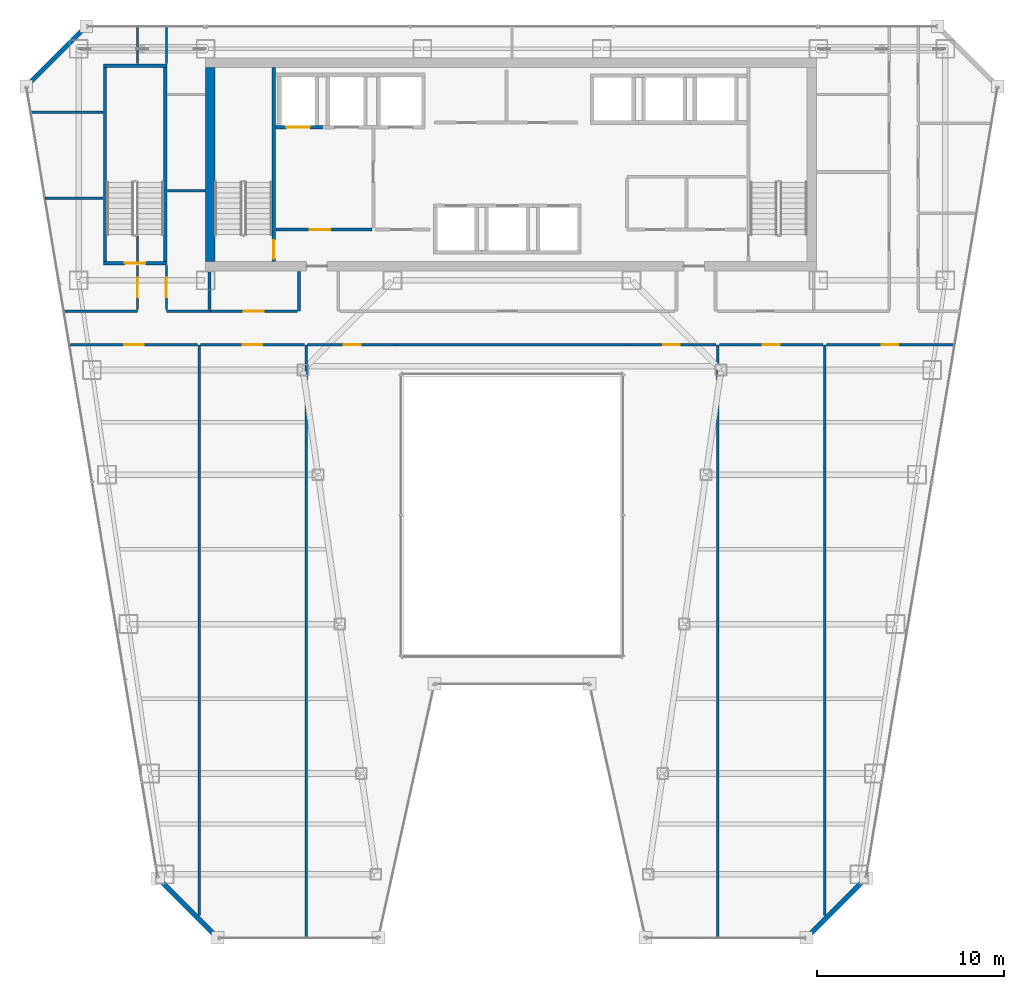
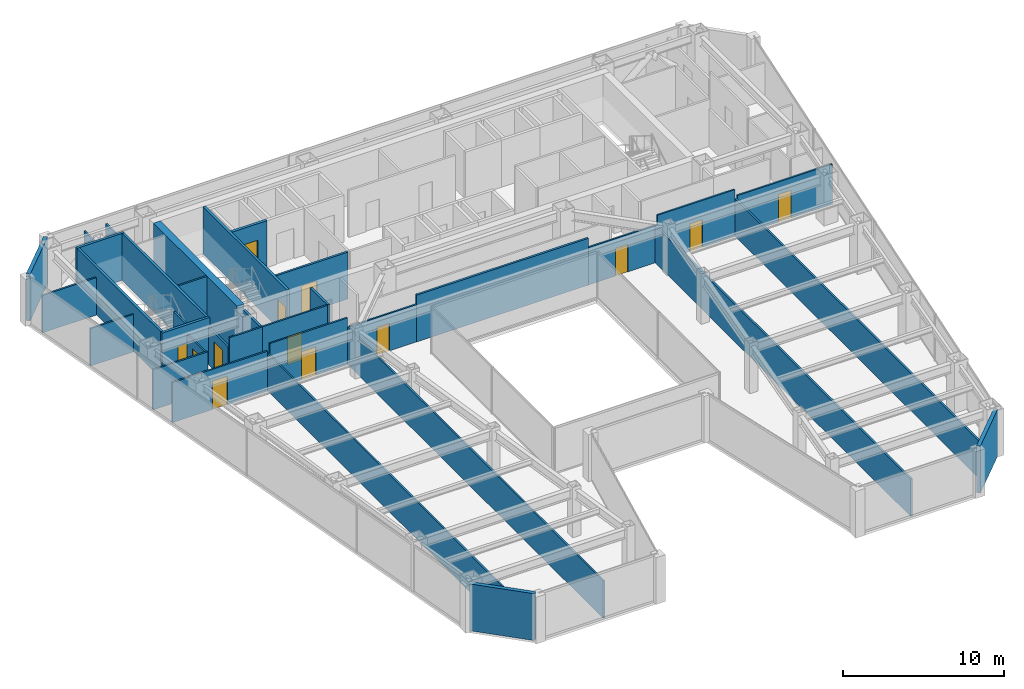
# One storey, part 32 of 38: 35 walls, 13 doors, 13 openings.
"""IFC4 building model written with IfcOpenShell, lengths in metres."""

from ifc_helpers import new_model, si_unit, direction, frame, frame_2d, origin, place, context, subcontext, project, spatial, rectangle, extrude, material, layer, layer_set, type_object, element, fill, save


model = new_model("IFC4")

# Units and contexts
model_context = context("Model", 3, precision=1e-05, world=origin(), true_north=direction((0.0, 1.0)))
body_context = subcontext(model_context, "Body", "Model", "MODEL_VIEW")
ifc_project = project(units=[si_unit("LENGTHUNIT", "METRE"), si_unit("AREAUNIT", "SQUARE_METRE"), si_unit("VOLUMEUNIT", "CUBIC_METRE"), si_unit("PLANEANGLEUNIT", "RADIAN"), si_unit("MASSUNIT", "GRAM", prefix="KILO")], contexts=[model_context])

# Site, building, storey
site_placement = place(None, origin())
site = spatial("IfcSite", under=ifc_project, at=site_placement, CompositionType="ELEMENT")
building_placement = place(site_placement, origin())
building = spatial("IfcBuilding", under=site, at=building_placement, Name="Saevonmaru Cultural Tower", CompositionType="ELEMENT")
storey_placement = place(building_placement, frame((0.0, 0.0, 137.199951171875)))
storey = spatial("IfcBuildingStorey", under=building, at=storey_placement, Name="L29", CompositionType="ELEMENT", Elevation=137.199951171875)

# Wall
ifc_material_1 = material(Name="Concrete C60/75", Category="concrete")
ifc_layer_1 = layer(ifc_material_1, 0.5, Name="Concrete C60/75")
ifc_layer_set_1 = layer_set([ifc_layer_1], Name="Concrete C60/75")
wall_type_1 = type_object("IfcWallType", Name="WL-CORE-500", PredefinedType="SHEAR", material=ifc_layer_set_1)
wall_1_placement = place(storey_placement, frame((13.85009765625, 43.39990234375, 0.0), z_axis=(0.0, 0.0, 1.0), x_axis=(0.0, 1.0, 0.0)))
element("IfcWall", 1, at=wall_1_placement, inside=storey, type_object=wall_type_1, Name="L29 Tower RC core shear wall W", PredefinedType="SHEAR", context=body_context, shape_type="SweptSolid", body=[
    extrude(rectangle(XDim=10.400146484375, YDim=0.5, at=frame_2d((5.2001953125, 0.0))), origin(), (0.0, 0.0, 1.0), 3.550048828125),
])

# Wall, opening, door
ifc_material_2 = material(Name="Gypsum Fireboard Partition", Category="gypsum")
ifc_layer_2 = layer(ifc_material_2, 0.14990234375, Name="Gypsum Fireboard Partition")
ifc_layer_set_2 = layer_set([ifc_layer_2], Name="Gypsum Fireboard Partition")
wall_type_2 = type_object("IfcWallType", Name="WL-CORE-PART-150", PredefinedType="PARTITIONING", material=ifc_layer_set_2)
wall_2_placement = place(storey_placement, frame((17.360107421875, 45.1201171875, 0.0), z_axis=(0.0, 0.0, 1.0), x_axis=(1.0, 0.0, 0.0)))
wall_2 = element("IfcWall", 2, at=wall_2_placement, inside=storey, type_object=wall_type_2, Name="L29 Firefighting Lift Lobby South Wall", PredefinedType="PARTITIONING", context=body_context, shape_type="SweptSolid", body=[
    extrude(rectangle(XDim=5.139892578125, YDim=0.14990234375, at=frame_2d((2.56982421875, 0.0))), origin(), (0.0, 0.0, 1.0), 3.550048828125),
])
opening_1_placement = place(wall_2_placement, frame((1.800048828125, 0.0, 0.0)))
opening_1 = element("IfcOpeningElement", 3, at=opening_1_placement, cuts=wall_2, Name="Opening FD-2", PredefinedType="OPENING", context=body_context, shape_type="SweptSolid", body=[
    extrude(rectangle(XDim=1.10009765625, YDim=2.14990234375, at=frame_2d((0.550048828125, 1.074951171875))), frame((0.0, 0.0849609375, 0.0), z_axis=(0.0, -1.0, 0.0), x_axis=(1.0, 0.0, 0.0)), (0.0, 0.0, 1.0), 0.169921875),
])
ifc_material_3 = material(Name="Satin Bronze Anodised Aluminium", Category="aluminium")
door_type_1 = type_object("IfcDoorType", Name="DR-FD60-1100", OperationType="SINGLE_SWING_LEFT", PredefinedType="DOOR", material=ifc_material_3)
door_1_placement = place(opening_1_placement, origin())
door_1 = element("IfcDoor", 4, at=door_1_placement, inside=storey, type_object=door_type_1, Name="L29 Firefighting Lift Lobby South Door", OperationType="SINGLE_SWING_LEFT", OverallHeight=2.14990234375, OverallWidth=1.10009765625, PredefinedType="DOOR", context=body_context, shape_type="SweptSolid", body=[
    extrude(rectangle(XDim=1.10009765625, YDim=2.14990234375, at=frame_2d((0.550048828125, 1.074951171875))), frame((0.0, 0.02490234375, 0.0), z_axis=(0.0, -1.0, 0.0), x_axis=(1.0, 0.0, 0.0)), (0.0, 0.0, 1.0), 0.050048828125),
])
fill(opening_1, door_1)

# Walls
ifc_material_4 = material(Name="Granite-Clad Precast Concrete C40/50", Category="masonry")
ifc_layer_3 = layer(ifc_material_4, 0.260009765625, Name="Granite-Clad Precast Concrete C40/50")
ifc_layer_set_3 = layer_set([ifc_layer_3], Name="Granite-Clad Precast Concrete C40/50")
wall_type_3 = type_object("IfcWallType", Name="WL-EXT-SPANDREL-260", PredefinedType="STANDARD", material=ifc_layer_set_3)
for number, where, z_axis, x_axis, name in (
    (5, (11.162109375, 10.286865234375, 0.0), (0.0, 0.0, 1.0), (0.70707775441, -0.707135806771, 0.0), "L29 Chamfer Corner Spandrel Wall E1"),
    (6, (45.8642578125, 7.31298828125, 0.0), (0.0, 0.0, 1.0), (0.70707775441, 0.707135806771, 0.0), "L29 Chamfer Corner Spandrel Wall E7"),
):
    element("IfcWall", number, at=place(storey_placement, frame(where, z_axis=z_axis, x_axis=x_axis)), inside=storey, type_object=wall_type_3, Name=name, PredefinedType="STANDARD", context=body_context, shape_type="SweptSolid", body=[
        extrude(rectangle(XDim=4.20556640625, YDim=0.260009765625, at=frame_2d((2.102783203125, 0.0))), origin(), (0.0, 0.0, 1.0), 3.550048828125),
    ])
wall_3_placement = place(storey_placement, frame((7.0869140625, 55.886962890625, 0.0), z_axis=(0.0, 0.0, 1.0), x_axis=(-0.707106781187, -0.707106781187, 0.0)))
element("IfcWall", 7, at=wall_3_placement, inside=storey, type_object=wall_type_3, Name="L29 Chamfer Corner Spandrel Wall E11", PredefinedType="STANDARD", context=body_context, shape_type="SweptSolid", body=[
    extrude(rectangle(XDim=4.205810546875, YDim=0.260009765625, at=frame_2d((2.10302734375, 0.0))), origin(), (0.0, 0.0, 1.0), 3.550048828125),
])
ifc_layer_4 = layer(ifc_material_2, 0.14990234375, Name="Gypsum Fireboard Partition")
ifc_layer_set_4 = layer_set([ifc_layer_4], Name="Gypsum Fireboard Partition")
wall_type_4 = type_object("IfcWallType", Name="WL-PART-FIRE-150", PredefinedType="PARTITIONING", material=ifc_layer_set_4)
wall_4_placement = place(storey_placement, frame((13.800048828125, 40.830078125, 0.0), z_axis=(0.0, 0.0, 1.0), x_axis=(0.0, 1.0, 0.0)))
element("IfcWall", 8, at=wall_4_placement, inside=storey, type_object=wall_type_4, Name="L29 Core Portal Side Wall W0", PredefinedType="PARTITIONING", context=body_context, shape_type="SweptSolid", body=[
    extrude(rectangle(XDim=2.0498046875, YDim=0.14990234375, at=frame_2d((1.02490234375, 0.0))), origin(), (0.0, 0.0, 1.0), 3.550048828125),
])
wall_5_placement = place(storey_placement, frame((18.60009765625, 40.75, 0.0), z_axis=(0.0, 0.0, 1.0), x_axis=(0.0, 1.0, 0.0)))
element("IfcWall", 9, at=wall_5_placement, inside=storey, type_object=wall_type_4, Name="L29 Core Portal Side Wall W1", PredefinedType="PARTITIONING", context=body_context, shape_type="SweptSolid", body=[
    extrude(rectangle(XDim=2.1298828125, YDim=0.14990234375, at=frame_2d((1.06494140625, 0.0))), origin(), (0.0, 0.0, 1.0), 3.550048828125),
])
wall_6_placement = place(storey_placement, frame((23.85009765625, 38.949951171875, 0.0), z_axis=(0.0, 0.0, 1.0), x_axis=(1.0, 0.0, 0.0)))
element("IfcWall", 10, at=wall_6_placement, inside=storey, type_object=wall_type_4, Name="L29 North Atrium Corridor Wall", PredefinedType="PARTITIONING", context=body_context, shape_type="SweptSolid", body=[
    extrude(rectangle(XDim=12.2998046875, YDim=0.14990234375, at=frame_2d((6.14990234375, 0.0))), origin(), (0.0, 0.0, 1.0), 3.550048828125),
])
ifc_layer_5 = layer(ifc_material_2, 0.1201171875, Name="Gypsum Fireboard Partition")
ifc_layer_set_5 = layer_set([ifc_layer_5], Name="Gypsum Fireboard Partition")
wall_type_5 = type_object("IfcWallType", Name="WL-PART-GYP-120", PredefinedType="PARTITIONING", material=ifc_layer_set_5)
wall_7_placement = place(storey_placement, frame((6.00830078125, 40.75, 0.0), z_axis=(0.0, 0.0, 1.0), x_axis=(1.0, 0.0, 0.0)))
element("IfcWall", 11, at=wall_7_placement, inside=storey, type_object=wall_type_5, Name="L29 NW Wing South Wall", PredefinedType="PARTITIONING", context=body_context, shape_type="SweptSolid", body=[
    extrude(rectangle(XDim=3.941650390625, YDim=0.1201171875, at=frame_2d((1.970703125, 0.0))), origin(), (0.0, 0.0, 1.0), 3.03515625),
])
wall_8_placement = place(storey_placement, frame((11.5, 40.75, 0.0), z_axis=(0.0, 0.0, 1.0), x_axis=(1.0, 0.0, 0.0)))
element("IfcWall", 12, at=wall_8_placement, inside=storey, type_object=wall_type_5, Name="L29 NW Inner South Wall", PredefinedType="PARTITIONING", context=body_context, shape_type="SweptSolid", body=[
    extrude(rectangle(XDim=2.35009765625, YDim=0.1201171875, at=frame_2d((1.175048828125, 0.0))), origin(), (0.0, 0.0, 1.0), 3.550048828125),
])
wall_9_placement = place(storey_placement, frame((11.5, 54.0, 0.0), z_axis=(0.0, 0.0, 1.0), x_axis=(0.0, 1.0, 0.0)))
element("IfcWall", 13, at=wall_9_placement, inside=storey, type_object=wall_type_5, Name="L29 Typography Design Classroom Corridor Wall", PredefinedType="PARTITIONING", context=body_context, shape_type="SweptSolid", body=[
    extrude(rectangle(XDim=1.9951171875, YDim=0.1201171875, at=frame_2d((0.99755859375, 0.0))), origin(), (0.0, 0.0, 1.0), 2.93505859375),
])
wall_10_placement = place(storey_placement, frame((5.002685546875, 46.800048828125, 0.0), z_axis=(0.0, 0.0, 1.0), x_axis=(1.0, 0.0, 0.0)))
element("IfcWall", 14, at=wall_10_placement, inside=storey, type_object=wall_type_5, Name="L29 NW Studio Divider 1", PredefinedType="PARTITIONING", context=body_context, shape_type="SweptSolid", body=[
    extrude(rectangle(XDim=3.097412109375, YDim=0.1201171875, at=frame_2d((1.548828125, 0.0))), origin(), (0.0, 0.0, 1.0), 2.8349609375),
])
wall_11_placement = place(storey_placement, frame((4.23779296875, 51.39990234375, 0.0), z_axis=(0.0, 0.0, 1.0), x_axis=(1.0, 0.0, 0.0)))
element("IfcWall", 15, at=wall_11_placement, inside=storey, type_object=wall_type_5, Name="L29 NW Studio Divider 2", PredefinedType="PARTITIONING", context=body_context, shape_type="SweptSolid", body=[
    extrude(rectangle(XDim=3.8623046875, YDim=0.1201171875, at=frame_2d((1.93115234375, 0.0))), origin(), (0.0, 0.0, 1.0), 2.8349609375),
])

# Wall, opening, door
wall_12_placement = place(storey_placement, frame((9.949951171875, 40.830078125, 0.0), z_axis=(0.0, 0.0, 1.0), x_axis=(0.0, 1.0, 0.0)))
wall_12 = element("IfcWall", 16, at=wall_12_placement, inside=storey, type_object=wall_type_5, Name="L29 Rare Folio Reading Room Corridor Wall", PredefinedType="PARTITIONING", context=body_context, shape_type="SweptSolid", body=[
    extrude(rectangle(XDim=2.369873046875, YDim=0.1201171875, at=frame_2d((1.18505859375, 0.0))), origin(), (0.0, 0.0, 1.0), 2.8349609375),
])
opening_2_placement = place(wall_12_placement, frame((0.659912109375, 0.0, 0.0)))
opening_2 = element("IfcOpeningElement", 17, at=opening_2_placement, cuts=wall_12, Name="Opening ID-1", PredefinedType="OPENING", context=body_context, shape_type="SweptSolid", body=[
    extrude(rectangle(XDim=1.050048828125, YDim=2.14990234375, at=frame_2d((0.52490234375, 1.074951171875))), frame((0.0, 0.070068359375, 0.0), z_axis=(0.0, -1.0, 0.0), x_axis=(1.0, 0.0, 0.0)), (0.0, 0.0, 1.0), 0.14013671875),
])
door_type_2 = type_object("IfcDoorType", Name="DR-INT-1050", OperationType="SINGLE_SWING_LEFT", PredefinedType="DOOR", material=ifc_material_3)
door_2_placement = place(opening_2_placement, origin())
door_2 = element("IfcDoor", 18, at=door_2_placement, inside=storey, type_object=door_type_2, Name="L29 Rare Folio Reading Room Door", OperationType="SINGLE_SWING_LEFT", OverallHeight=2.14990234375, OverallWidth=1.050048828125, PredefinedType="DOOR", context=body_context, shape_type="SweptSolid", body=[
    extrude(rectangle(XDim=1.050048828125, YDim=2.14990234375, at=frame_2d((0.52490234375, 1.074951171875))), frame((0.0, 0.02490234375, 0.0), z_axis=(0.0, -1.0, 0.0), x_axis=(1.0, 0.0, 0.0)), (0.0, 0.0, 1.0), 0.050048828125),
])
fill(opening_2, door_2)

# Walls
wall_13_placement = place(storey_placement, frame((9.949951171875, 43.419921875, 0.0), z_axis=(0.0, 0.0, 1.0), x_axis=(0.0, 1.0, 0.0)))
element("IfcWall", 19, at=wall_13_placement, inside=storey, type_object=wall_type_5, Name="L29 Rare Folio Reading Room Corridor Wall (2)", PredefinedType="PARTITIONING", context=body_context, shape_type="SweptSolid", body=[
    extrude(rectangle(XDim=1.4501953125, YDim=0.1201171875, at=frame_2d((0.72509765625, 0.0))), origin(), (0.0, 0.0, 1.0), 3.550048828125),
])
wall_14_placement = place(storey_placement, frame((9.949951171875, 54.0, 0.0), z_axis=(0.0, 0.0, 1.0), x_axis=(0.0, 1.0, 0.0)))
element("IfcWall", 20, at=wall_14_placement, inside=storey, type_object=wall_type_5, Name="L29 Typography Design Classroom Corridor Wall", PredefinedType="PARTITIONING", context=body_context, shape_type="SweptSolid", body=[
    extrude(rectangle(XDim=1.9951171875, YDim=0.1201171875, at=frame_2d((0.99755859375, 0.0))), origin(), (0.0, 0.0, 1.0), 2.93505859375),
])
wall_15_placement = place(storey_placement, frame((11.550048828125, 47.199951171875, 0.0), z_axis=(0.0, 0.0, 1.0), x_axis=(1.0, 0.0, 0.0)))
element("IfcWall", 21, at=wall_15_placement, inside=storey, type_object=wall_type_5, Name="L29 NW Inner Divider", PredefinedType="PARTITIONING", context=body_context, shape_type="SweptSolid", body=[
    extrude(rectangle(XDim=2.030029296875, YDim=0.1201171875, at=frame_2d((1.01513671875, 0.0))), origin(), (0.0, 0.0, 1.0), 3.550048828125),
])

# Wall, opening, door
wall_16_placement = place(storey_placement, frame((11.5, 40.830078125, 0.0), z_axis=(0.0, 0.0, 1.0), x_axis=(0.0, 1.0, 0.0)))
wall_16 = element("IfcWall", 22, at=wall_16_placement, inside=storey, type_object=wall_type_5, Name="L29 Art History Reading Room Corridor Wall", PredefinedType="PARTITIONING", context=body_context, shape_type="SweptSolid", body=[
    extrude(rectangle(XDim=2.369873046875, YDim=0.1201171875, at=frame_2d((1.18505859375, 0.0))), origin(), (0.0, 0.0, 1.0), 2.8349609375),
])
opening_3_placement = place(wall_16_placement, frame((0.659912109375, 0.0, 0.0)))
opening_3 = element("IfcOpeningElement", 23, at=opening_3_placement, cuts=wall_16, Name="Opening ID-1", PredefinedType="OPENING", context=body_context, shape_type="SweptSolid", body=[
    extrude(rectangle(XDim=1.050048828125, YDim=2.14990234375, at=frame_2d((0.52490234375, 1.074951171875))), frame((0.0, 0.070068359375, 0.0), z_axis=(0.0, -1.0, 0.0), x_axis=(1.0, 0.0, 0.0)), (0.0, 0.0, 1.0), 0.14013671875),
])
door_3_placement = place(opening_3_placement, origin())
door_3 = element("IfcDoor", 24, at=door_3_placement, inside=storey, type_object=door_type_2, Name="L29 Art History Reading Room Door", OperationType="SINGLE_SWING_RIGHT", OverallHeight=2.14990234375, OverallWidth=1.050048828125, PredefinedType="DOOR", context=body_context, shape_type="SweptSolid", body=[
    extrude(rectangle(XDim=1.050048828125, YDim=2.14990234375, at=frame_2d((0.52490234375, 1.074951171875))), frame((0.0, 0.02490234375, 0.0), z_axis=(0.0, -1.0, 0.0), x_axis=(1.0, 0.0, 0.0)), (0.0, 0.0, 1.0), 0.050048828125),
])
fill(opening_3, door_3)

wall_17_placement = place(storey_placement, frame((13.85009765625, 40.75, 0.0), z_axis=(0.0, 0.0, 1.0), x_axis=(1.0, 0.0, 0.0)))
wall_17 = element("IfcWall", 25, at=wall_17_placement, inside=storey, type_object=wall_type_5, Name="L29 Rare Folio Reading Room Corridor Wall", PredefinedType="PARTITIONING", context=body_context, shape_type="SweptSolid", body=[
    extrude(rectangle(XDim=4.65478515625, YDim=0.1201171875, at=frame_2d((2.327392578125, 0.0))), origin(), (0.0, 0.0, 1.0), 3.550048828125),
])
opening_4_placement = place(wall_17_placement, frame((1.802001953125, 0.0, 0.0)))
opening_4 = element("IfcOpeningElement", 26, at=opening_4_placement, cuts=wall_17, Name="Opening ID-1", PredefinedType="OPENING", context=body_context, shape_type="SweptSolid", body=[
    extrude(rectangle(XDim=1.050048828125, YDim=2.14990234375, at=frame_2d((0.52490234375, 1.074951171875))), frame((0.0, 0.070068359375, 0.0), z_axis=(0.0, -1.0, 0.0), x_axis=(1.0, 0.0, 0.0)), (0.0, 0.0, 1.0), 0.14013671875),
])
door_4_placement = place(opening_4_placement, origin())
door_4 = element("IfcDoor", 27, at=door_4_placement, inside=storey, type_object=door_type_2, Name="L29 Rare Folio Reading Room Door", OperationType="SINGLE_SWING_RIGHT", OverallHeight=2.14990234375, OverallWidth=1.050048828125, PredefinedType="DOOR", context=body_context, shape_type="SweptSolid", body=[
    extrude(rectangle(XDim=1.050048828125, YDim=2.14990234375, at=frame_2d((0.52490234375, 1.074951171875))), frame((0.0, 0.02490234375, 0.0), z_axis=(0.0, -1.0, 0.0), x_axis=(1.0, 0.0, 0.0)), (0.0, 0.0, 1.0), 0.050048828125),
])
fill(opening_4, door_4)

# Walls
wall_18_placement = place(storey_placement, frame((13.25, 8.410888671875, 0.0), z_axis=(0.0, 0.0, 1.0), x_axis=(0.0, 1.0, 0.0)))
element("IfcWall", 28, at=wall_18_placement, inside=storey, type_object=wall_type_5, Name="L29 West Bay Divider 1", PredefinedType="PARTITIONING", context=body_context, shape_type="SweptSolid", body=[
    extrude(rectangle(XDim=30.5390625, YDim=0.1201171875, at=frame_2d((15.26953125, 0.0))), origin(), (0.0, 0.0, 1.0), 2.8349609375),
])
wall_19_placement = place(storey_placement, frame((18.97998046875, 7.205078125, 0.0), z_axis=(0.0, 0.0, 1.0), x_axis=(0.0, 1.0, 0.0)))
element("IfcWall", 29, at=wall_19_placement, inside=storey, type_object=wall_type_5, Name="L29 West Bay Divider 2", PredefinedType="PARTITIONING", context=body_context, shape_type="SweptSolid", body=[
    extrude(rectangle(XDim=31.744873046875, YDim=0.1201171875, at=frame_2d((15.87255859375, 0.0))), origin(), (0.0, 0.0, 1.0), 2.8349609375),
])

# Wall, opening, door
wall_20_placement = place(storey_placement, frame((6.36279296875, 38.949951171875, 0.0), z_axis=(0.0, 0.0, 1.0), x_axis=(1.0, 0.0, 0.0)))
wall_20 = element("IfcWall", 30, at=wall_20_placement, inside=storey, type_object=wall_type_5, Name="L29 Rare Folio Reading Room Corridor Wall", PredefinedType="PARTITIONING", context=body_context, shape_type="SweptSolid", body=[
    extrude(rectangle(XDim=6.80712890625, YDim=0.1201171875, at=frame_2d((3.403564453125, 0.0))), origin(), (0.0, 0.0, 1.0), 3.03515625),
])
opening_5_placement = place(wall_20_placement, frame((2.87890625, 0.0, 0.0)))
opening_5 = element("IfcOpeningElement", 31, at=opening_5_placement, cuts=wall_20, Name="Opening ID-1", PredefinedType="OPENING", context=body_context, shape_type="SweptSolid", body=[
    extrude(rectangle(XDim=1.050048828125, YDim=2.14990234375, at=frame_2d((0.52490234375, 1.074951171875))), frame((0.0, 0.070068359375, 0.0), z_axis=(0.0, -1.0, 0.0), x_axis=(1.0, 0.0, 0.0)), (0.0, 0.0, 1.0), 0.14013671875),
])
door_5_placement = place(opening_5_placement, origin())
door_5 = element("IfcDoor", 32, at=door_5_placement, inside=storey, type_object=door_type_2, Name="L29 Rare Folio Reading Room Door", OperationType="SINGLE_SWING_LEFT", OverallHeight=2.14990234375, OverallWidth=1.050048828125, PredefinedType="DOOR", context=body_context, shape_type="SweptSolid", body=[
    extrude(rectangle(XDim=1.050048828125, YDim=2.14990234375, at=frame_2d((0.52490234375, 1.074951171875))), frame((0.0, 0.02490234375, 0.0), z_axis=(0.0, -1.0, 0.0), x_axis=(1.0, 0.0, 0.0)), (0.0, 0.0, 1.0), 0.050048828125),
])
fill(opening_5, door_5)

wall_21_placement = place(storey_placement, frame((13.330078125, 38.949951171875, 0.0), z_axis=(0.0, 0.0, 1.0), x_axis=(1.0, 0.0, 0.0)))
wall_21 = element("IfcWall", 33, at=wall_21_placement, inside=storey, type_object=wall_type_5, Name="L29 Art History Reading Room Corridor Wall", PredefinedType="PARTITIONING", context=body_context, shape_type="SweptSolid", body=[
    extrude(rectangle(XDim=5.56982421875, YDim=0.1201171875, at=frame_2d((2.784912109375, 0.0))), origin(), (0.0, 0.0, 1.0), 3.550048828125),
])
opening_6_placement = place(wall_21_placement, frame((2.260009765625, 0.0, 0.0)))
opening_6 = element("IfcOpeningElement", 34, at=opening_6_placement, cuts=wall_21, Name="Opening ID-1", PredefinedType="OPENING", context=body_context, shape_type="SweptSolid", body=[
    extrude(rectangle(XDim=1.050048828125, YDim=2.14990234375, at=frame_2d((0.52490234375, 1.074951171875))), frame((0.0, 0.070068359375, 0.0), z_axis=(0.0, -1.0, 0.0), x_axis=(1.0, 0.0, 0.0)), (0.0, 0.0, 1.0), 0.14013671875),
])
door_6_placement = place(opening_6_placement, origin())
door_6 = element("IfcDoor", 35, at=door_6_placement, inside=storey, type_object=door_type_2, Name="L29 Art History Reading Room Door", OperationType="SINGLE_SWING_RIGHT", OverallHeight=2.14990234375, OverallWidth=1.050048828125, PredefinedType="DOOR", context=body_context, shape_type="SweptSolid", body=[
    extrude(rectangle(XDim=1.050048828125, YDim=2.14990234375, at=frame_2d((0.52490234375, 1.074951171875))), frame((0.0, 0.02490234375, 0.0), z_axis=(0.0, -1.0, 0.0), x_axis=(1.0, 0.0, 0.0)), (0.0, 0.0, 1.0), 0.050048828125),
])
fill(opening_6, door_6)

wall_22_placement = place(storey_placement, frame((19.06005859375, 38.949951171875, 0.0), z_axis=(0.0, 0.0, 1.0), x_axis=(1.0, 0.0, 0.0)))
wall_22 = element("IfcWall", 36, at=wall_22_placement, inside=storey, type_object=wall_type_5, Name="L29 Typography Design Classroom Corridor Wall", PredefinedType="PARTITIONING", context=body_context, shape_type="SweptSolid", body=[
    extrude(rectangle(XDim=4.7900390625, YDim=0.1201171875, at=frame_2d((2.39501953125, 0.0))), origin(), (0.0, 0.0, 1.0), 2.8349609375),
])
opening_7_placement = place(wall_22_placement, frame((1.945068359375, 0.0, 0.0)))
opening_7 = element("IfcOpeningElement", 37, at=opening_7_placement, cuts=wall_22, Name="Opening ID-2", PredefinedType="OPENING", context=body_context, shape_type="SweptSolid", body=[
    extrude(rectangle(XDim=0.89990234375, YDim=2.10009765625, at=frame_2d((0.449951171875, 1.050048828125))), frame((0.0, 0.070068359375, 0.0), z_axis=(0.0, -1.0, 0.0), x_axis=(1.0, 0.0, 0.0)), (0.0, 0.0, 1.0), 0.14013671875),
])
ifc_material_5 = material(Name="Acoustic Stained Oak Timber", Category="wood")
door_type_3 = type_object("IfcDoorType", Name="DR-INT-900", OperationType="SINGLE_SWING_RIGHT", PredefinedType="DOOR", material=ifc_material_5)
door_7_placement = place(opening_7_placement, origin())
door_7 = element("IfcDoor", 38, at=door_7_placement, inside=storey, type_object=door_type_3, Name="L29 Typography Design Classroom Door", OperationType="SINGLE_SWING_LEFT", OverallHeight=2.10009765625, OverallWidth=0.89990234375, PredefinedType="DOOR", context=body_context, shape_type="SweptSolid", body=[
    extrude(rectangle(XDim=0.89990234375, YDim=2.10009765625, at=frame_2d((0.449951171875, 1.050048828125))), frame((0.0, 0.02490234375, 0.0), z_axis=(0.0, -1.0, 0.0), x_axis=(1.0, 0.0, 0.0)), (0.0, 0.0, 1.0), 0.050048828125),
])
fill(opening_7, door_7)

wall_23_placement = place(storey_placement, frame((36.14990234375, 38.949951171875, 0.0), z_axis=(0.0, 0.0, 1.0), x_axis=(1.0, 0.0, 0.0)))
wall_23 = element("IfcWall", 39, at=wall_23_placement, inside=storey, type_object=wall_type_5, Name="L29 Typography Design Classroom Corridor Wall", PredefinedType="PARTITIONING", context=body_context, shape_type="SweptSolid", body=[
    extrude(rectangle(XDim=4.78271484375, YDim=0.1201171875, at=frame_2d((2.391357421875, 0.0))), origin(), (0.0, 0.0, 1.0), 2.8349609375),
])
opening_8_placement = place(wall_23_placement, frame((1.94091796875, 0.0, 0.0)))
opening_8 = element("IfcOpeningElement", 40, at=opening_8_placement, cuts=wall_23, Name="Opening ID-2", PredefinedType="OPENING", context=body_context, shape_type="SweptSolid", body=[
    extrude(rectangle(XDim=0.89990234375, YDim=2.10009765625, at=frame_2d((0.449951171875, 1.050048828125))), frame((0.0, 0.070068359375, 0.0), z_axis=(0.0, -1.0, 0.0), x_axis=(1.0, 0.0, 0.0)), (0.0, 0.0, 1.0), 0.14013671875),
])
door_8_placement = place(opening_8_placement, origin())
door_8 = element("IfcDoor", 41, at=door_8_placement, inside=storey, type_object=door_type_3, Name="L29 Typography Design Classroom Door", OperationType="SINGLE_SWING_RIGHT", OverallHeight=2.10009765625, OverallWidth=0.89990234375, PredefinedType="DOOR", context=body_context, shape_type="SweptSolid", body=[
    extrude(rectangle(XDim=0.89990234375, YDim=2.10009765625, at=frame_2d((0.449951171875, 1.050048828125))), frame((0.0, 0.02490234375, 0.0), z_axis=(0.0, -1.0, 0.0), x_axis=(1.0, 0.0, 0.0)), (0.0, 0.0, 1.0), 0.050048828125),
])
fill(opening_8, door_8)

wall_24_placement = place(storey_placement, frame((41.107421875, 38.949951171875, 0.0), z_axis=(0.0, 0.0, 1.0), x_axis=(1.0, 0.0, 0.0)))
wall_24 = element("IfcWall", 42, at=wall_24_placement, inside=storey, type_object=wall_type_5, Name="L29 Calligraphy Teaching Studio Corridor Wall", PredefinedType="PARTITIONING", context=body_context, shape_type="SweptSolid", body=[
    extrude(rectangle(XDim=5.55517578125, YDim=0.1201171875, at=frame_2d((2.777587890625, 0.0))), origin(), (0.0, 0.0, 1.0), 3.550048828125),
])
opening_9_placement = place(wall_24_placement, frame((2.326904296875, 0.0, 0.0)))
opening_9 = element("IfcOpeningElement", 43, at=opening_9_placement, cuts=wall_24, Name="Opening ID-2", PredefinedType="OPENING", context=body_context, shape_type="SweptSolid", body=[
    extrude(rectangle(XDim=0.89990234375, YDim=2.10009765625, at=frame_2d((0.449951171875, 1.050048828125))), frame((0.0, 0.070068359375, 0.0), z_axis=(0.0, -1.0, 0.0), x_axis=(1.0, 0.0, 0.0)), (0.0, 0.0, 1.0), 0.14013671875),
])
door_9_placement = place(opening_9_placement, origin())
door_9 = element("IfcDoor", 44, at=door_9_placement, inside=storey, type_object=door_type_3, Name="L29 Calligraphy Teaching Studio Door", OperationType="SINGLE_SWING_LEFT", OverallHeight=2.10009765625, OverallWidth=0.89990234375, PredefinedType="DOOR", context=body_context, shape_type="SweptSolid", body=[
    extrude(rectangle(XDim=0.89990234375, YDim=2.10009765625, at=frame_2d((0.449951171875, 1.050048828125))), frame((0.0, 0.02490234375, 0.0), z_axis=(0.0, -1.0, 0.0), x_axis=(1.0, 0.0, 0.0)), (0.0, 0.0, 1.0), 0.050048828125),
])
fill(opening_9, door_9)

wall_25_placement = place(storey_placement, frame((46.83740234375, 38.949951171875, 0.0), z_axis=(0.0, 0.0, 1.0), x_axis=(1.0, 0.0, 0.0)))
wall_25 = element("IfcWall", 45, at=wall_25_placement, inside=storey, type_object=wall_type_5, Name="L29 Curatorial Board Meeting Room Corridor Wall", PredefinedType="PARTITIONING", context=body_context, shape_type="SweptSolid", body=[
    extrude(rectangle(XDim=6.7998046875, YDim=0.1201171875, at=frame_2d((3.39990234375, 0.0))), origin(), (0.0, 0.0, 1.0), 3.03515625),
])
opening_10_placement = place(wall_25_placement, frame((2.949951171875, 0.0, 0.0)))
opening_10 = element("IfcOpeningElement", 46, at=opening_10_placement, cuts=wall_25, Name="Opening ID-2", PredefinedType="OPENING", context=body_context, shape_type="SweptSolid", body=[
    extrude(rectangle(XDim=0.89990234375, YDim=2.10009765625, at=frame_2d((0.449951171875, 1.050048828125))), frame((0.0, 0.070068359375, 0.0), z_axis=(0.0, -1.0, 0.0), x_axis=(1.0, 0.0, 0.0)), (0.0, 0.0, 1.0), 0.14013671875),
])
door_10_placement = place(opening_10_placement, origin())
door_10 = element("IfcDoor", 47, at=door_10_placement, inside=storey, type_object=door_type_3, Name="L29 Curatorial Board Meeting Room Door", OperationType="SINGLE_SWING_RIGHT", OverallHeight=2.10009765625, OverallWidth=0.89990234375, PredefinedType="DOOR", context=body_context, shape_type="SweptSolid", body=[
    extrude(rectangle(XDim=0.89990234375, YDim=2.10009765625, at=frame_2d((0.449951171875, 1.050048828125))), frame((0.0, 0.02490234375, 0.0), z_axis=(0.0, -1.0, 0.0), x_axis=(1.0, 0.0, 0.0)), (0.0, 0.0, 1.0), 0.050048828125),
])
fill(opening_10, door_10)

# Walls
ifc_layer_6 = layer(ifc_material_2, 0.135009765625, Name="Gypsum Fireboard Partition")
ifc_layer_set_6 = layer_set([ifc_layer_6], Name="Gypsum Fireboard Partition")
wall_type_6 = type_object("IfcWallType", Name="WL-PART-GYP-135", PredefinedType="PARTITIONING", material=ifc_layer_set_6)
wall_26_placement = place(storey_placement, frame((41.02001953125, 7.205078125, 0.0), z_axis=(0.0, 0.0, 1.0), x_axis=(0.0, 1.0, 0.0)))
element("IfcWall", 48, at=wall_26_placement, inside=storey, type_object=wall_type_6, Name="L29 East Bay Divider 1", PredefinedType="PARTITIONING", context=body_context, shape_type="SweptSolid", body=[
    extrude(rectangle(XDim=31.744873046875, YDim=0.135009765625, at=frame_2d((15.87255859375, 0.0))), origin(), (0.0, 0.0, 1.0), 2.8349609375),
])
wall_27_placement = place(storey_placement, frame((46.75, 8.410888671875, 0.0), z_axis=(0.0, 0.0, 1.0), x_axis=(0.0, 1.0, 0.0)))
element("IfcWall", 49, at=wall_27_placement, inside=storey, type_object=wall_type_6, Name="L29 East Bay Divider 2", PredefinedType="PARTITIONING", context=body_context, shape_type="SweptSolid", body=[
    extrude(rectangle(XDim=30.5390625, YDim=0.135009765625, at=frame_2d((15.26953125, 0.0))), origin(), (0.0, 0.0, 1.0), 2.8349609375),
])

# Wall, opening, door
ifc_material_6 = material(Name="Concrete C40/50", Category="concrete")
ifc_layer_7 = layer(ifc_material_6, 0.199951171875, Name="Concrete C40/50")
ifc_layer_set_7 = layer_set([ifc_layer_7], Name="Concrete C40/50")
wall_type_7 = type_object("IfcWallType", Name="WL-SHAFT-200", PredefinedType="SHEAR", material=ifc_layer_set_7)
wall_28_placement = place(storey_placement, frame((17.330078125, 50.60009765625, 0.0), z_axis=(0.0, 0.0, 1.0), x_axis=(1.0, 0.0, 0.0)))
wall_28 = element("IfcWall", 50, at=wall_28_placement, inside=storey, type_object=wall_type_7, Name="L29 Lift FFL-1 Hoistway Wall S", PredefinedType="SHEAR", context=body_context, shape_type="SweptSolid", body=[
    extrude(rectangle(XDim=2.52001953125, YDim=0.199951171875, at=frame_2d((1.260009765625, 0.0))), origin(), (0.0, 0.0, 1.0), 3.550048828125),
])
opening_11_placement = place(wall_28_placement, frame((0.594970703125, 0.0, 0.0)))
opening_11 = element("IfcOpeningElement", 51, at=opening_11_placement, cuts=wall_28, Name="Opening LD-2", PredefinedType="OPENING", context=body_context, shape_type="SweptSolid", body=[
    extrude(rectangle(XDim=1.25, YDim=2.300048828125, at=frame_2d((0.625, 1.14990234375))), frame((0.0, 0.10986328125, 0.0), z_axis=(0.0, -1.0, 0.0), x_axis=(1.0, 0.0, 0.0)), (0.0, 0.0, 1.0), 0.219970703125),
])
ifc_material_7 = material(Name="Stainless Steel 316", Category="steel")
door_type_4 = type_object("IfcDoorType", Name="DR-LIFT-1250", OperationType="SLIDING_TO_LEFT", PredefinedType="DOOR", material=ifc_material_7)
door_11_placement = place(opening_11_placement, origin())
door_11 = element("IfcDoor", 52, at=door_11_placement, inside=storey, type_object=door_type_4, Name="L29 Lift FFL-1 Sliding Landing Door", OperationType="SLIDING_TO_LEFT", OverallHeight=2.300048828125, OverallWidth=1.25, PredefinedType="DOOR", context=body_context, shape_type="SweptSolid", body=[
    extrude(rectangle(XDim=1.25, YDim=2.300048828125, at=frame_2d((0.625, 1.14990234375))), frame((0.0, 0.02490234375, 0.0), z_axis=(0.0, -1.0, 0.0), x_axis=(1.0, 0.0, 0.0)), (0.0, 0.0, 1.0), 0.050048828125),
])
fill(opening_11, door_11)

ifc_layer_8 = layer(ifc_material_6, 0.179931640625, Name="Concrete C40/50")
ifc_layer_set_8 = layer_set([ifc_layer_8], Name="Concrete C40/50")
wall_type_8 = type_object("IfcWallType", Name="WL-STSHAFT-180", PredefinedType="SHEAR", material=ifc_layer_set_8)
wall_29_placement = place(storey_placement, frame((17.239990234375, 43.39990234375, 0.0), z_axis=(0.0, 0.0, 1.0), x_axis=(0.0, 1.0, 0.0)))
wall_29 = element("IfcWall", 53, at=wall_29_placement, inside=storey, type_object=wall_type_8, Name="L29 Stair ST-1 Structural Shaft Wall 1", PredefinedType="SHEAR", context=body_context, shape_type="SweptSolid", body=[
    extrude(rectangle(XDim=10.400146484375, YDim=0.179931640625, at=frame_2d((5.2001953125, 0.0))), origin(), (0.0, 0.0, 1.0), 3.550048828125),
])
opening_12_placement = place(wall_29_placement, frame((0.159912109375, 0.0, 0.0)))
opening_12 = element("IfcOpeningElement", 54, at=opening_12_placement, cuts=wall_29, Name="Opening FD-3", PredefinedType="OPENING", context=body_context, shape_type="SweptSolid", body=[
    extrude(rectangle(XDim=1.0, YDim=2.14990234375, at=frame_2d((0.5, 1.074951171875))), frame((0.0, 0.10009765625, 0.0), z_axis=(0.0, -1.0, 0.0), x_axis=(1.0, 0.0, 0.0)), (0.0, 0.0, 1.0), 0.199951171875),
])
door_type_5 = type_object("IfcDoorType", Name="DR-FD60-1000", OperationType="SINGLE_SWING_RIGHT", PredefinedType="DOOR", material=ifc_material_3)
door_12_placement = place(opening_12_placement, origin())
door_12 = element("IfcDoor", 55, at=door_12_placement, inside=storey, type_object=door_type_5, Name="L29 Protected Stair ST-1 Fire Door", OperationType="SINGLE_SWING_RIGHT", OverallHeight=2.14990234375, OverallWidth=1.0, PredefinedType="DOOR", context=body_context, shape_type="SweptSolid", body=[
    extrude(rectangle(XDim=1.0, YDim=2.14990234375, at=frame_2d((0.5, 1.074951171875))), frame((0.0, 0.02490234375, 0.0), z_axis=(0.0, -1.0, 0.0), x_axis=(1.0, 0.0, 0.0)), (0.0, 0.0, 1.0), 0.050048828125),
])
fill(opening_12, door_12)

wall_30_placement = place(storey_placement, frame((8.1201171875, 43.31005859375, 0.0), z_axis=(0.0, 0.0, 1.0), x_axis=(1.0, 0.0, 0.0)))
wall_30 = element("IfcWall", 56, at=wall_30_placement, inside=storey, type_object=wall_type_8, Name="L29 Stair ST-3 Structural Shaft Wall 1", PredefinedType="SHEAR", context=body_context, shape_type="SweptSolid", body=[
    extrude(rectangle(XDim=3.409912109375, YDim=0.179931640625, at=frame_2d((1.705078125, 0.0))), origin(), (0.0, 0.0, 1.0), 3.550048828125),
])
opening_13_placement = place(wall_30_placement, frame((1.14990234375, 0.0, 0.0)))
opening_13 = element("IfcOpeningElement", 57, at=opening_13_placement, cuts=wall_30, Name="Opening FD-2", PredefinedType="OPENING", context=body_context, shape_type="SweptSolid", body=[
    extrude(rectangle(XDim=1.10009765625, YDim=2.14990234375, at=frame_2d((0.550048828125, 1.074951171875))), frame((0.0, 0.10009765625, 0.0), z_axis=(0.0, -1.0, 0.0), x_axis=(1.0, 0.0, 0.0)), (0.0, 0.0, 1.0), 0.199951171875),
])
door_13_placement = place(opening_13_placement, origin())
door_13 = element("IfcDoor", 58, at=door_13_placement, inside=storey, type_object=door_type_1, Name="L29 Protected Stair ST-3 Fire Door", OperationType="SINGLE_SWING_LEFT", OverallHeight=2.14990234375, OverallWidth=1.10009765625, PredefinedType="DOOR", context=body_context, shape_type="SweptSolid", body=[
    extrude(rectangle(XDim=1.10009765625, YDim=2.14990234375, at=frame_2d((0.550048828125, 1.074951171875))), frame((0.0, 0.02490234375, 0.0), z_axis=(0.0, -1.0, 0.0), x_axis=(1.0, 0.0, 0.0)), (0.0, 0.0, 1.0), 0.050048828125),
])
fill(opening_13, door_13)

# Walls
wall_31_placement = place(storey_placement, frame((11.43994140625, 43.39990234375, 0.0), z_axis=(0.0, 0.0, 1.0), x_axis=(0.0, 1.0, 0.0)))
element("IfcWall", 59, at=wall_31_placement, inside=storey, type_object=wall_type_8, Name="L29 Stair ST-3 Structural Shaft Wall 2", PredefinedType="SHEAR", context=body_context, shape_type="SweptSolid", body=[
    extrude(rectangle(XDim=10.400146484375, YDim=0.179931640625, at=frame_2d((5.2001953125, 0.0))), origin(), (0.0, 0.0, 1.0), 3.550048828125),
])
wall_32_placement = place(storey_placement, frame((11.530029296875, 53.889892578125, 0.0), z_axis=(0.0, 0.0, 1.0), x_axis=(-1.0, 0.0, 0.0)))
element("IfcWall", 60, at=wall_32_placement, inside=storey, type_object=wall_type_8, Name="L29 Stair ST-3 Structural Shaft Wall 3", PredefinedType="SHEAR", context=body_context, shape_type="SweptSolid", body=[
    extrude(rectangle(XDim=3.409912109375, YDim=0.179931640625, at=frame_2d((1.705078125, 0.0))), origin(), (0.0, 0.0, 1.0), 3.550048828125),
])
wall_33_placement = place(storey_placement, frame((8.2099609375, 53.800048828125, 0.0), z_axis=(0.0, 0.0, 1.0), x_axis=(0.0, -1.0, 0.0)))
element("IfcWall", 61, at=wall_33_placement, inside=storey, type_object=wall_type_8, Name="L29 Stair ST-3 Structural Shaft Wall 4", PredefinedType="SHEAR", context=body_context, shape_type="SweptSolid", body=[
    extrude(rectangle(XDim=10.400146484375, YDim=0.179931640625, at=frame_2d((5.2001953125, 0.0))), origin(), (0.0, 0.0, 1.0), 3.550048828125),
])

save(model, "model.ifc")
